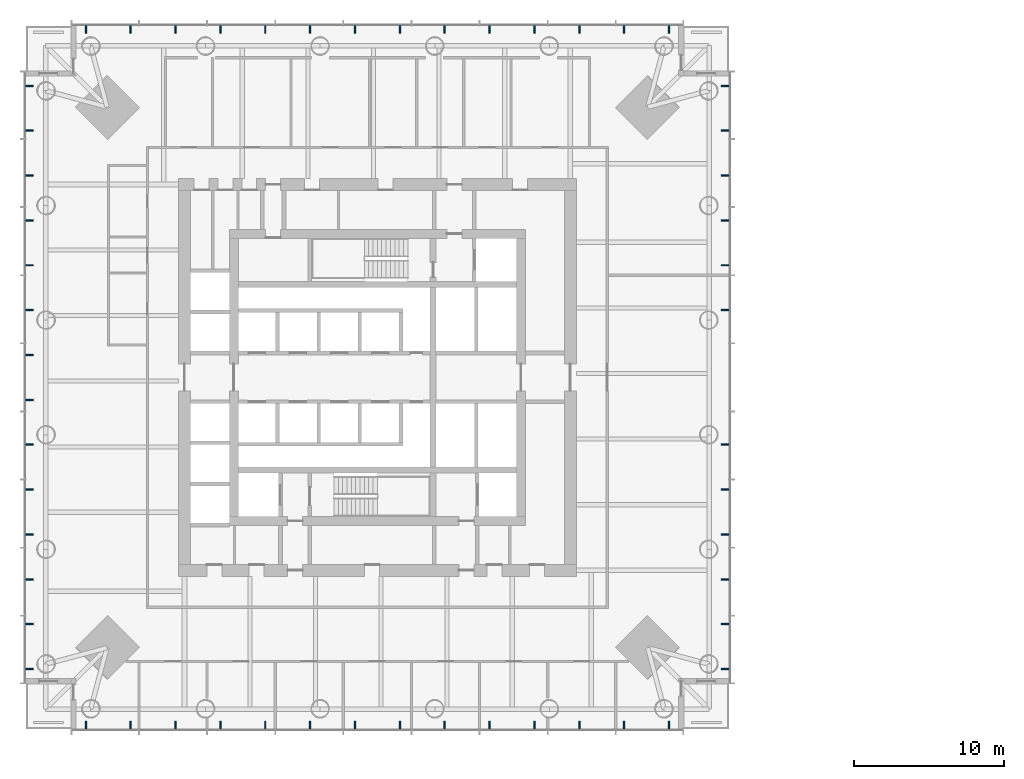
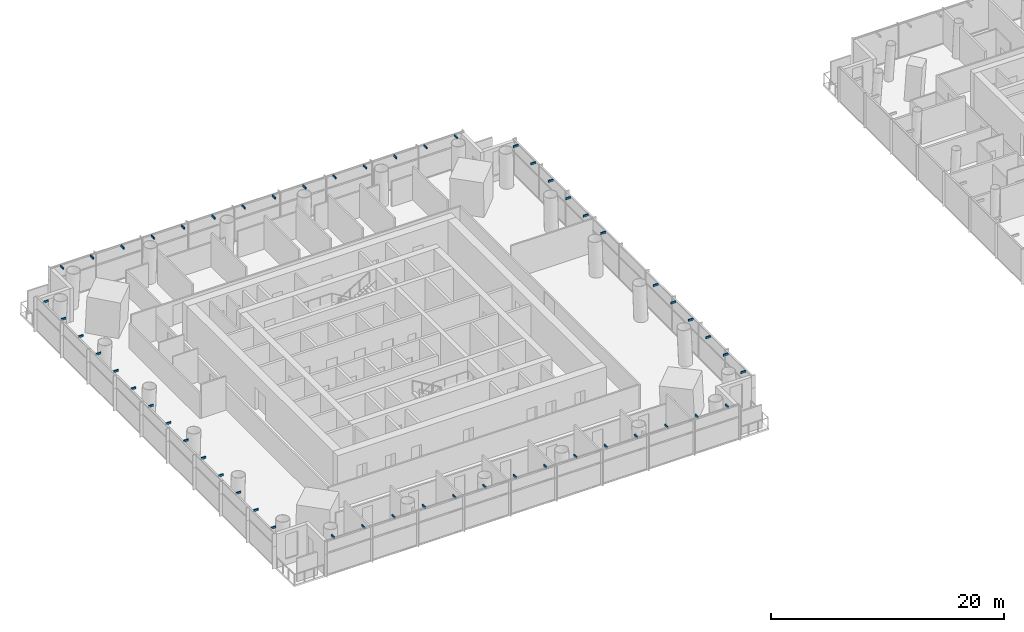
# One storey, part 21 of 24: 54 discrete accessories.
"""IFC4 building model written with IfcOpenShell, lengths in metres."""

import ifcopenshell
import ifcopenshell.guid

model = None  # the IFC model being written
_history = None  # IfcOwnerHistory: only IFC2X3 demands one
_inside = {}  # id of a spatial element -> (the spatial element, [elements in it])
_under = {}  # id of a project, library or spatial element -> (it, [spatial elements below it])
_declared = {}  # id of a project -> (the project, [libraries it declares])
_typed = {}  # id of a type object -> (the type object, [elements of that type])
_made_of = {}  # id of a material, layer set ... -> (it, [elements and type objects made of it])


def new_model(schema):
    """Start an empty IFC model of exactly this schema.

    Asked for "IFC4X3", IfcOpenShell would pick the latest addendum, in which some entities
    have other attributes; the version numbers below select the first issue.
    IFC2X3 requires an IfcOwnerHistory on every rooted entity: one is made here for all.
    """
    global model, _history
    if schema == "IFC4X3":
        model = ifcopenshell.file(schema_version=(4, 3, 0, 0))
    else:
        model = ifcopenshell.file(schema=schema)
    _inside.clear()
    _under.clear()
    _declared.clear()
    _typed.clear()
    _made_of.clear()
    _history = None
    if model.schema == "IFC2X3":
        org = make("IfcOrganization", Name="unknown")
        user = make(
            "IfcPersonAndOrganization",
            ThePerson=make("IfcPerson", FamilyName="unknown"),
            TheOrganization=org,
        )
        app = make(
            "IfcApplication",
            ApplicationDeveloper=org,
            Version="unknown",
            ApplicationFullName="unknown",
            ApplicationIdentifier="unknown",
        )
        _history = make(
            "IfcOwnerHistory",
            OwningUser=user,
            OwningApplication=app,
            ChangeAction="ADDED",
            CreationDate=0,
        )
    return model


def make(cls, **values):
    """One entity of the class cls with the attributes given. An attribute that is None is left unset."""
    return model.create_entity(
        cls, **{name: value for name, value in values.items() if value is not None}
    )


def rooted(cls, **values):
    """An entity with a GlobalId (a new one), such as an element, a storey or a relation."""
    return make(cls, GlobalId=ifcopenshell.guid.new(), OwnerHistory=_history, **values)


def si_unit(unit_type, name, prefix=None):
    """IfcSIUnit, for example si_unit("LENGTHUNIT", "METRE", prefix="MILLI")."""
    return make("IfcSIUnit", UnitType=unit_type, Prefix=prefix, Name=name)


def assignment(units):
    """IfcUnitAssignment: the units of a project."""
    return None if units is None else make("IfcUnitAssignment", Units=units)


def point(xyz):
    """IfcCartesianPoint."""
    return None if xyz is None else make("IfcCartesianPoint", Coordinates=xyz)


def direction(xyz):
    """IfcDirection."""
    return None if xyz is None else make("IfcDirection", DirectionRatios=xyz)


def frame(location, z_axis=None, x_axis=None):
    """IfcAxis2Placement3D, a coordinate frame: its origin and axes. An axis left out is left unset."""
    return make(
        "IfcAxis2Placement3D",
        Location=point(location),
        Axis=direction(z_axis),
        RefDirection=direction(x_axis),
    )


def frame_2d(location, x_axis=None):
    """IfcAxis2Placement2D, a coordinate frame in the plane: its origin and x axis."""
    return make(
        "IfcAxis2Placement2D", Location=point(location), RefDirection=direction(x_axis)
    )


def origin():
    """The frame at (0, 0, 0) with its axes left unset."""
    return frame((0.0, 0.0, 0.0))


def origin_2d():
    """The frame at (0, 0) in the plane with its x axis left unset."""
    return frame_2d((0.0, 0.0))


def place(relative_to, where):
    """IfcLocalPlacement: puts the frame where relative to a parent placement (None: the world)."""
    return make(
        "IfcLocalPlacement", PlacementRelTo=relative_to, RelativePlacement=where
    )


def context(
    kind, dimensions, precision=None, world=None, true_north=None, identifier=None
):
    """IfcGeometricRepresentationContext, for example the 3D "Model" context."""
    return make(
        "IfcGeometricRepresentationContext",
        ContextIdentifier=identifier,
        ContextType=kind,
        CoordinateSpaceDimension=dimensions,
        Precision=precision,
        WorldCoordinateSystem=world,
        TrueNorth=true_north,
    )


def subcontext(parent, identifier, kind, view, scale=None):
    """IfcGeometricRepresentationSubContext, for example "Body" below "Model"."""
    return make(
        "IfcGeometricRepresentationSubContext",
        ContextIdentifier=identifier,
        ContextType=kind,
        ParentContext=parent,
        TargetScale=scale,
        TargetView=view,
    )


def project(units=None, contexts=None):
    """IfcProject with its units and contexts."""
    return rooted(
        "IfcProject",
        Name="project",
        RepresentationContexts=contexts,
        UnitsInContext=assignment(units),
    )


def spatial(cls, under=None, at=None, **own):
    """A site, building, storey or space (cls), placed at a placement, below another one or the project."""
    s = rooted(cls, ObjectPlacement=at, **own)
    if under is not None:
        _under.setdefault(under.id(), (under, []))[1].append(s)
    return s


def profile(cls, at=None, kind="AREA", **sizes):
    """A parametric profile (cls). Its sizes go by their IFC names, for example OverallWidth=200.0."""
    return make(cls, ProfileType=kind, Position=at, **sizes)


def rectangle(**sizes):
    """IfcRectangleProfileDef."""
    return profile("IfcRectangleProfileDef", **sizes)


def extrude(swept, where, along, depth):
    """IfcExtrudedAreaSolid: the profile swept, set in the frame where, extruded along a direction by depth."""
    return make(
        "IfcExtrudedAreaSolid",
        SweptArea=swept,
        Position=where,
        ExtrudedDirection=direction(along),
        Depth=depth,
    )


def shape(context_of_items, identifier, shape_type, items):
    """IfcShapeRepresentation: the items that make up one representation, for example the "Body"."""
    return make(
        "IfcShapeRepresentation",
        ContextOfItems=context_of_items,
        RepresentationIdentifier=identifier,
        RepresentationType=shape_type,
        Items=items,
    )


def material(Name=None, Category=None):
    """IfcMaterial."""
    return make("IfcMaterial", Name=Name, Category=Category)


def made_of(thing, what):
    """Note that an element or type object is made of a material, layer set ...; save() writes the relation."""
    if what is not None:
        _made_of.setdefault(what.id(), (what, []))[1].append(thing)
    return thing


def type_object(cls, material=None, **own):
    """A type object (cls), such as IfcWallType, which elements share."""
    return made_of(rooted(cls, **own), material)


def element(
    cls,
    number,
    at=None,
    inside=None,
    cuts=None,
    type_object=None,
    material=None,
    context=None,
    identifier="Body",
    shape_type=None,
    held_by="IfcProductDefinitionShape",
    body=None,
    shapes=None,
    **own,
):
    """One element of the class cls, such as IfcWall. Its Tag is "e" and its number.

    at: its placement. inside: the storey or other place that contains it. cuts: it is an
    opening in that element (IfcRelVoidsElement). A single representation is given by context,
    identifier, shape_type and body (its items); several are given by shapes. held_by: the class
    of the entity that holds the representations. save() writes the other relations.
    """
    e = rooted(cls, Tag="e%d" % number, ObjectPlacement=at, **own)
    if body is not None:
        shapes = [shape(context, identifier, shape_type, body)]
    if shapes is not None:
        e.Representation = make(held_by, Representations=shapes)
    if inside is not None:
        _inside.setdefault(inside.id(), (inside, []))[1].append(e)
    if cuts is not None:
        rooted(
            "IfcRelVoidsElement", RelatingBuildingElement=cuts, RelatedOpeningElement=e
        )
    if type_object is not None:
        _typed.setdefault(type_object.id(), (type_object, []))[1].append(e)
    return made_of(e, material)


def aggregate(whole, parts):
    """IfcRelAggregates: a whole, such as a stair, and the parts it consists of."""
    return rooted("IfcRelAggregates", RelatingObject=whole, RelatedObjects=parts)


def save(model, path):
    """Write the relations noted so far, then the file.

    IfcRelAggregates (storeys below a building ...), IfcRelContainedInSpatialStructure (elements
    in a storey), IfcRelDefinesByType, IfcRelAssociatesMaterial and IfcRelDeclares: one each for
    every whole, place, type object, material and project.
    """
    for whole, parts in _under.values():
        aggregate(whole, parts)
    for where, things in _inside.values():
        rooted(
            "IfcRelContainedInSpatialStructure",
            RelatedElements=things,
            RelatingStructure=where,
        )
    for kind, things in _typed.values():
        rooted("IfcRelDefinesByType", RelatedObjects=things, RelatingType=kind)
    for what, things in _made_of.values():
        rooted("IfcRelAssociatesMaterial", RelatedObjects=things, RelatingMaterial=what)
    for by, libraries in _declared.values():
        rooted("IfcRelDeclares", RelatingContext=by, RelatedDefinitions=libraries)
    model.write(path)


model = new_model("IFC4")

# Units and contexts
model_context = context("Model", 3, precision=1e-05, world=origin(), true_north=direction((0.0, 1.0)))
body_context = subcontext(model_context, "Body", "Model", "MODEL_VIEW")
ifc_project = project(units=[si_unit("LENGTHUNIT", "METRE"), si_unit("AREAUNIT", "SQUARE_METRE"), si_unit("VOLUMEUNIT", "CUBIC_METRE"), si_unit("PLANEANGLEUNIT", "RADIAN"), si_unit("MASSUNIT", "GRAM", prefix="KILO")], contexts=[model_context])

# Site, building, storey
site_placement = place(None, origin())
site = spatial("IfcSite", under=ifc_project, at=site_placement, CompositionType="ELEMENT")
building_placement = place(site_placement, origin())
building = spatial("IfcBuilding", under=site, at=building_placement, Name="Ostroluk Exchange", CompositionType="ELEMENT")
storey_placement = place(building_placement, frame((0.0, 0.0, 78.0)))
storey = spatial("IfcBuildingStorey", under=building, at=storey_placement, Name="L19", CompositionType="ELEMENT", Elevation=78.0)

# Discrete accessories
ifc_material = material(Name="Steel S355", Category="steel")
discrete_accessory_type = type_object("IfcDiscreteAccessoryType", Name="Maintenance roof bracket", PredefinedType="BRACKET", material=ifc_material)
for number, where, z_axis, x_axis, name in (
    (1, (25.5, 22.75, 3.4501953125), (0.0, 0.0, 1.0), (1.0, 0.0, 0.0), "Maintenance roof bracket L20 south 1"),
    (2, (28.5, 22.75, 3.4501953125), (0.0, 0.0, 1.0), (1.0, 0.0, 0.0), "Maintenance roof bracket L20 south 2"),
    (3, (31.5, 22.75, 3.4501953125), (0.0, 0.0, 1.0), (1.0, 0.0, 0.0), "Maintenance roof bracket L20 south 3"),
    (4, (34.5, 22.75, 3.4501953125), (0.0, 0.0, 1.0), (1.0, 0.0, 0.0), "Maintenance roof bracket L20 south 4"),
    (5, (37.5, 22.75, 3.4501953125), (0.0, 0.0, 1.0), (1.0, 0.0, 0.0), "Maintenance roof bracket L20 south 5"),
    (6, (40.5, 22.75, 3.4501953125), (0.0, 0.0, 1.0), (1.0, 0.0, 0.0), "Maintenance roof bracket L20 south 6"),
    (7, (43.5, 22.75, 3.4501953125), (0.0, 0.0, 1.0), (1.0, 0.0, 0.0), "Maintenance roof bracket L20 south 7"),
    (8, (46.5, 22.75, 3.4501953125), (0.0, 0.0, 1.0), (1.0, 0.0, 0.0), "Maintenance roof bracket L20 south 8"),
    (9, (49.5, 22.75, 3.4501953125), (0.0, 0.0, 1.0), (1.0, 0.0, 0.0), "Maintenance roof bracket L20 south 9"),
    (10, (52.5, 22.75, 3.4501953125), (0.0, 0.0, 1.0), (1.0, 0.0, 0.0), "Maintenance roof bracket L20 south 10"),
    (11, (55.5, 22.75, 3.4501953125), (0.0, 0.0, 1.0), (1.0, 0.0, 0.0), "Maintenance roof bracket L20 south 11"),
    (12, (58.5, 22.75, 3.4501953125), (0.0, 0.0, 1.0), (1.0, 0.0, 0.0), "Maintenance roof bracket L20 south 12"),
    (13, (61.5, 22.75, 3.4501953125), (0.0, 0.0, 1.0), (1.0, 0.0, 0.0), "Maintenance roof bracket L20 south 13"),
    (14, (64.5, 22.75, 3.4501953125), (0.0, 0.0, 1.0), (1.0, 0.0, 0.0), "Maintenance roof bracket L20 south 14"),
):
    element("IfcDiscreteAccessory", number, at=place(storey_placement, frame(where, z_axis=z_axis, x_axis=x_axis)), inside=storey, type_object=discrete_accessory_type, Name=name, PredefinedType="BRACKET", context=body_context, shape_type="SweptSolid", body=[
        extrude(rectangle(XDim=0.10009765625, YDim=0.5, at=origin_2d()), origin(), (0.0, 0.0, 1.0), 0.199951171875),
    ])
for number, where, z_axis, x_axis, name in (
    (15, (68.25, 26.5, 3.4501953125), (0.0, 0.0, 1.0), (1.0, 0.0, 0.0), "Maintenance roof bracket L20 east 1"),
    (16, (68.25, 29.5, 3.4501953125), (0.0, 0.0, 1.0), (1.0, 0.0, 0.0), "Maintenance roof bracket L20 east 2"),
    (17, (68.25, 32.5, 3.4501953125), (0.0, 0.0, 1.0), (1.0, 0.0, 0.0), "Maintenance roof bracket L20 east 3"),
    (18, (68.25, 35.5, 3.4501953125), (0.0, 0.0, 1.0), (1.0, 0.0, 0.0), "Maintenance roof bracket L20 east 4"),
    (19, (68.25, 38.5, 3.4501953125), (0.0, 0.0, 1.0), (1.0, 0.0, 0.0), "Maintenance roof bracket L20 east 5"),
    (20, (68.25, 41.5, 3.4501953125), (0.0, 0.0, 1.0), (1.0, 0.0, 0.0), "Maintenance roof bracket L20 east 6"),
    (21, (68.25, 50.5, 3.4501953125), (0.0, 0.0, 1.0), (1.0, 0.0, 0.0), "Maintenance roof bracket L20 east 9"),
    (22, (68.25, 53.5, 3.4501953125), (0.0, 0.0, 1.0), (1.0, 0.0, 0.0), "Maintenance roof bracket L20 east 10"),
    (23, (68.25, 56.5, 3.4501953125), (0.0, 0.0, 1.0), (1.0, 0.0, 0.0), "Maintenance roof bracket L20 east 11"),
    (24, (68.25, 59.5, 3.4501953125), (0.0, 0.0, 1.0), (1.0, 0.0, 0.0), "Maintenance roof bracket L20 east 12"),
    (25, (68.25, 62.5, 3.4501953125), (0.0, 0.0, 1.0), (1.0, 0.0, 0.0), "Maintenance roof bracket L20 east 13"),
    (26, (68.25, 65.5, 3.4501953125), (0.0, 0.0, 1.0), (1.0, 0.0, 0.0), "Maintenance roof bracket L20 east 14"),
):
    element("IfcDiscreteAccessory", number, at=place(storey_placement, frame(where, z_axis=z_axis, x_axis=x_axis)), inside=storey, type_object=discrete_accessory_type, Name=name, PredefinedType="BRACKET", context=body_context, shape_type="SweptSolid", body=[
        extrude(rectangle(XDim=0.5, YDim=0.10009765625, at=origin_2d()), origin(), (0.0, 0.0, 1.0), 0.199951171875),
    ])
for number, where, z_axis, x_axis, name in (
    (27, (25.5, 69.25, 3.4501953125), (0.0, 0.0, 1.0), (1.0, 0.0, 0.0), "Maintenance roof bracket L20 north 1"),
    (28, (28.5, 69.25, 3.4501953125), (0.0, 0.0, 1.0), (1.0, 0.0, 0.0), "Maintenance roof bracket L20 north 2"),
    (29, (31.5, 69.25, 3.4501953125), (0.0, 0.0, 1.0), (1.0, 0.0, 0.0), "Maintenance roof bracket L20 north 3"),
    (30, (34.5, 69.25, 3.4501953125), (0.0, 0.0, 1.0), (1.0, 0.0, 0.0), "Maintenance roof bracket L20 north 4"),
    (31, (37.5, 69.25, 3.4501953125), (0.0, 0.0, 1.0), (1.0, 0.0, 0.0), "Maintenance roof bracket L20 north 5"),
    (32, (40.5, 69.25, 3.4501953125), (0.0, 0.0, 1.0), (1.0, 0.0, 0.0), "Maintenance roof bracket L20 north 6"),
    (33, (43.5, 69.25, 3.4501953125), (0.0, 0.0, 1.0), (1.0, 0.0, 0.0), "Maintenance roof bracket L20 north 7"),
    (34, (46.5, 69.25, 3.4501953125), (0.0, 0.0, 1.0), (1.0, 0.0, 0.0), "Maintenance roof bracket L20 north 8"),
    (35, (49.5, 69.25, 3.4501953125), (0.0, 0.0, 1.0), (1.0, 0.0, 0.0), "Maintenance roof bracket L20 north 9"),
    (36, (52.5, 69.25, 3.4501953125), (0.0, 0.0, 1.0), (1.0, 0.0, 0.0), "Maintenance roof bracket L20 north 10"),
    (37, (55.5, 69.25, 3.4501953125), (0.0, 0.0, 1.0), (1.0, 0.0, 0.0), "Maintenance roof bracket L20 north 11"),
    (38, (58.5, 69.25, 3.4501953125), (0.0, 0.0, 1.0), (1.0, 0.0, 0.0), "Maintenance roof bracket L20 north 12"),
    (39, (61.5, 69.25, 3.4501953125), (0.0, 0.0, 1.0), (1.0, 0.0, 0.0), "Maintenance roof bracket L20 north 13"),
    (40, (64.5, 69.25, 3.4501953125), (0.0, 0.0, 1.0), (1.0, 0.0, 0.0), "Maintenance roof bracket L20 north 14"),
):
    element("IfcDiscreteAccessory", number, at=place(storey_placement, frame(where, z_axis=z_axis, x_axis=x_axis)), inside=storey, type_object=discrete_accessory_type, Name=name, PredefinedType="BRACKET", context=body_context, shape_type="SweptSolid", body=[
        extrude(rectangle(XDim=0.10009765625, YDim=0.5, at=origin_2d()), origin(), (0.0, 0.0, 1.0), 0.199951171875),
    ])
for number, where, z_axis, x_axis, name in (
    (41, (21.75, 26.5, 3.4501953125), (0.0, 0.0, 1.0), (1.0, 0.0, 0.0), "Maintenance roof bracket L20 west 1"),
    (42, (21.75, 29.5, 3.4501953125), (0.0, 0.0, 1.0), (1.0, 0.0, 0.0), "Maintenance roof bracket L20 west 2"),
    (43, (21.75, 32.5, 3.4501953125), (0.0, 0.0, 1.0), (1.0, 0.0, 0.0), "Maintenance roof bracket L20 west 3"),
    (44, (21.75, 35.5, 3.4501953125), (0.0, 0.0, 1.0), (1.0, 0.0, 0.0), "Maintenance roof bracket L20 west 4"),
    (45, (21.75, 38.5, 3.4501953125), (0.0, 0.0, 1.0), (1.0, 0.0, 0.0), "Maintenance roof bracket L20 west 5"),
    (46, (21.75, 41.5, 3.4501953125), (0.0, 0.0, 1.0), (1.0, 0.0, 0.0), "Maintenance roof bracket L20 west 6"),
    (47, (21.75, 44.5, 3.4501953125), (0.0, 0.0, 1.0), (1.0, 0.0, 0.0), "Maintenance roof bracket L20 west 7"),
    (48, (21.75, 47.5, 3.4501953125), (0.0, 0.0, 1.0), (1.0, 0.0, 0.0), "Maintenance roof bracket L20 west 8"),
    (49, (21.75, 50.5, 3.4501953125), (0.0, 0.0, 1.0), (1.0, 0.0, 0.0), "Maintenance roof bracket L20 west 9"),
    (50, (21.75, 53.5, 3.4501953125), (0.0, 0.0, 1.0), (1.0, 0.0, 0.0), "Maintenance roof bracket L20 west 10"),
    (51, (21.75, 56.5, 3.4501953125), (0.0, 0.0, 1.0), (1.0, 0.0, 0.0), "Maintenance roof bracket L20 west 11"),
    (52, (21.75, 59.5, 3.4501953125), (0.0, 0.0, 1.0), (1.0, 0.0, 0.0), "Maintenance roof bracket L20 west 12"),
    (53, (21.75, 62.5, 3.4501953125), (0.0, 0.0, 1.0), (1.0, 0.0, 0.0), "Maintenance roof bracket L20 west 13"),
    (54, (21.75, 65.5, 3.4501953125), (0.0, 0.0, 1.0), (1.0, 0.0, 0.0), "Maintenance roof bracket L20 west 14"),
):
    element("IfcDiscreteAccessory", number, at=place(storey_placement, frame(where, z_axis=z_axis, x_axis=x_axis)), inside=storey, type_object=discrete_accessory_type, Name=name, PredefinedType="BRACKET", context=body_context, shape_type="SweptSolid", body=[
        extrude(rectangle(XDim=0.5, YDim=0.10009765625, at=origin_2d()), origin(), (0.0, 0.0, 1.0), 0.199951171875),
    ])

save(model, "model.ifc")
